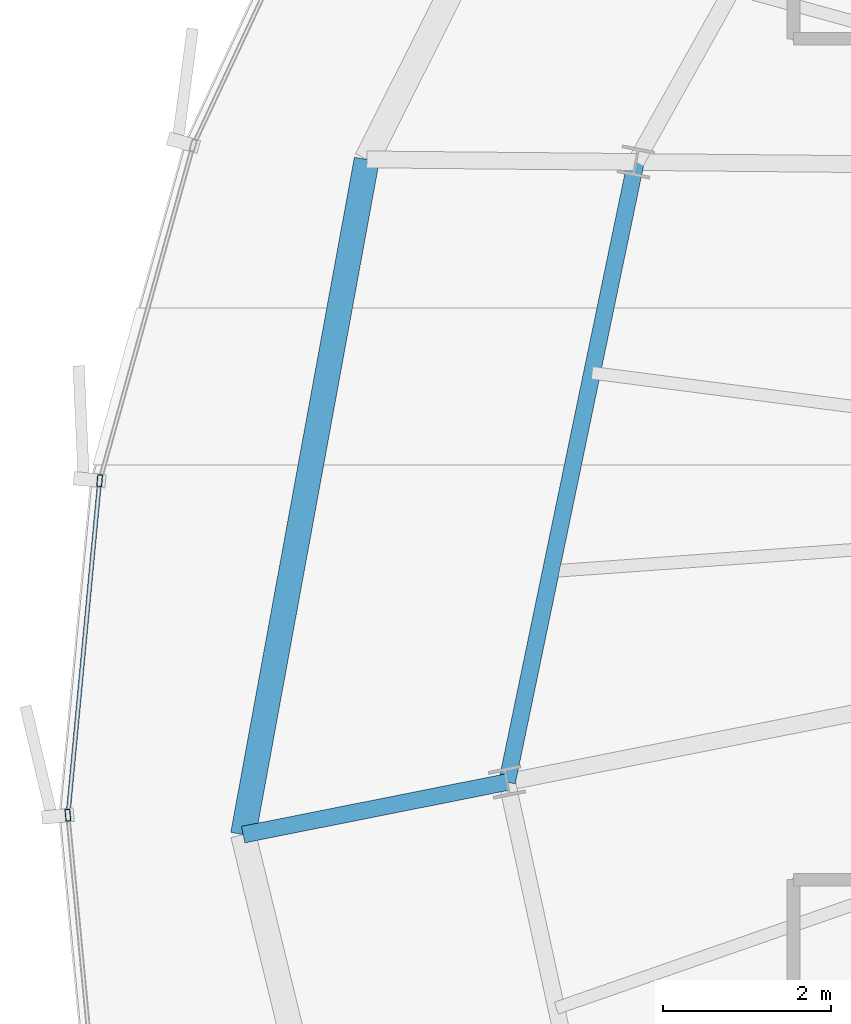
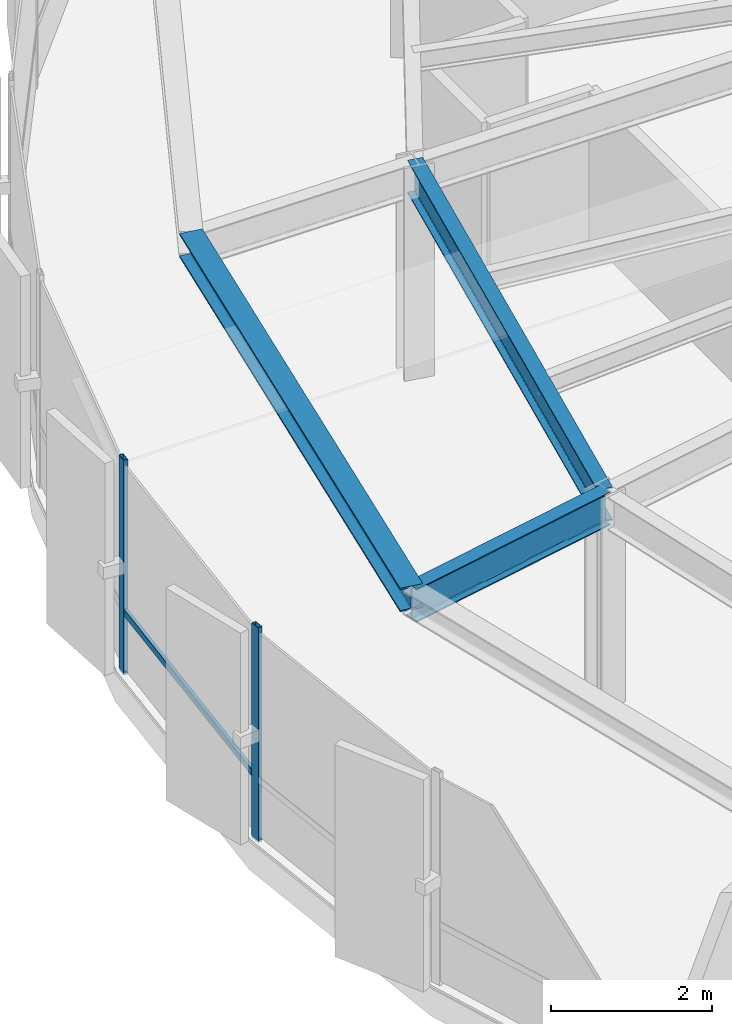
# One storey, part 9 of 36: 3 beams, 3 members, 1 element without a shape of its own.
"""IFC4 building model written with IfcOpenShell, lengths in metres."""

from ifc_helpers import new_model, si_unit, direction, frame, origin, origin_2d, place, context, subcontext, project, spatial, hollow_rectangle, i_section, extrude, source, transform, mapped, material, layer, layer_set, material_profile, profile_set, type_object, element, aggregate, save


model = new_model("IFC4")

# Units and contexts
model_context = context("Model", 3, precision=1e-05, world=origin(), true_north=direction((0.0, 1.0)))
body_context = subcontext(model_context, "Body", "Model", "MODEL_VIEW")
ifc_project = project(units=[si_unit("LENGTHUNIT", "METRE"), si_unit("AREAUNIT", "SQUARE_METRE"), si_unit("VOLUMEUNIT", "CUBIC_METRE"), si_unit("PLANEANGLEUNIT", "RADIAN"), si_unit("MASSUNIT", "GRAM", prefix="KILO"), si_unit("THERMODYNAMICTEMPERATUREUNIT", "KELVIN")], contexts=[model_context])

# Site, building, storey
site_placement = place(None, origin())
site = spatial("IfcSite", under=ifc_project, at=site_placement, CompositionType="ELEMENT")
building_placement = place(site_placement, origin())
building = spatial("IfcBuilding", under=site, at=building_placement, Name="Kethvar Cultural Tower", CompositionType="ELEMENT")
storey_placement = place(building_placement, frame((0.0, 0.0, 176.39990234375)))
storey = spatial("IfcBuildingStorey", under=building, at=storey_placement, Name="L45", CompositionType="ELEMENT", Elevation=176.39990234375)

# Beams
ifc_material_1 = material(Name="Steel S355J2", Category="steel")
ifc_material_profile_1 = material_profile(ifc_material_1, i_section(OverallWidth=0.199951171875, OverallDepth=0.5, WebThickness=0.01025390625, FlangeThickness=0.01611328125, FilletRadius=0.02099609375, at=origin_2d()), Name="Steel S355J2 — IPE500")
ifc_profile_set_1 = profile_set([ifc_material_profile_1], Name="Steel S355J2 — IPE500")
beam_type_1 = type_object("IfcBeamType", Name="BM-IPE500", PredefinedType="BEAM", material=ifc_profile_set_1)
shared_shape_1 = source(origin(), body_context, "Body", "SweptSolid", [
    extrude(i_section(OverallWidth=0.199951171875, OverallDepth=0.5, WebThickness=0.01025390625, FlangeThickness=0.01611328125, FilletRadius=0.02099609375, at=origin_2d()), origin(), (0.0, 0.0, 1.0), 3.199951171875),
])
beam_1_placement = place(storey_placement, frame((27.492919921875, 23.959716796875, 3.008056640625), z_axis=(-0.980770949178, -0.195162356126, 0.0), x_axis=(0.195162356126, -0.980770949178, 0.0)))
element("IfcBeam", 1, at=beam_1_placement, inside=storey, type_object=beam_type_1, Name="L45 Perimeter Cantilever Beam RC-09", PredefinedType="BEAM", context=body_context, shape_type="MappedRepresentation", body=[
    mapped(shared_shape_1, transform((0.0, 0.0, 0.0), scale=1.0)),
])
shared_shape_2 = source(origin(), body_context, "Body", "SweptSolid", [
    extrude(i_section(OverallWidth=0.199951171875, OverallDepth=0.5, WebThickness=0.01025390625, FlangeThickness=0.01611328125, FilletRadius=0.02099609375, at=origin_2d()), origin(), (0.0, 0.0, 1.0), 7.533447265625),
])
beam_2_placement = place(storey_placement, frame((29.02490234375, 31.335693359375, 3.008056640625), z_axis=(-0.203358905185, -0.979104261906, 0.0), x_axis=(0.979104261906, -0.203358905185, 0.0)))
element("IfcBeam", 2, at=beam_2_placement, inside=storey, type_object=beam_type_1, Name="L45 Column Ring Tie Beam CR-08", PredefinedType="BEAM", context=body_context, shape_type="MappedRepresentation", body=[
    mapped(shared_shape_2, transform((0.0, 0.0, 0.0), scale=1.0)),
])
ifc_material_profile_2 = material_profile(ifc_material_1, i_section(OverallWidth=0.300048828125, OverallDepth=0.360107421875, WebThickness=0.012451171875, FlangeThickness=0.0224609375, FilletRadius=0.027099609375, at=origin_2d()), Name="Steel S355J2 — HEB360")
ifc_profile_set_2 = profile_set([ifc_material_profile_2], Name="Steel S355J2 — HEB360")
beam_type_2 = type_object("IfcBeamType", Name="BM-SP360", PredefinedType="SPANDREL", material=ifc_profile_set_2)
shared_shape_3 = source(origin(), body_context, "Body", "SweptSolid", [
    extrude(i_section(OverallWidth=0.300048828125, OverallDepth=0.360107421875, WebThickness=0.012451171875, FlangeThickness=0.0224609375, FilletRadius=0.027099609375, at=origin_2d()), origin(), (0.0, 0.0, 1.0), 8.16455078125),
])
beam_3_placement = place(storey_placement, frame((25.824951171875, 31.3662109375, 3.078125), z_axis=(-0.180103654572, -0.983647636916, 0.0), x_axis=(0.983647636916, -0.180103654572, 0.0)))
element("IfcBeam", 3, at=beam_3_placement, inside=storey, type_object=beam_type_2, Name="L45 Perimeter Spandrel Beam SP-08", PredefinedType="SPANDREL", context=body_context, shape_type="MappedRepresentation", body=[
    mapped(shared_shape_3, transform((0.0, 0.0, 0.0), scale=1.0)),
])

# Curtain wall, members
ifc_material_2 = material(Name="Aluminium 6063-T6", Category="aluminium")
ifc_layer = layer(ifc_material_2, 0.179931640625, Name="Aluminium 6063-T6", Category="aluminium")
ifc_layer_set = layer_set([ifc_layer], Name="Aluminium 6063-T6 (180 mm)")
curtain_wall_type = type_object("IfcCurtainWallType", Name="CW-SYS-04-Z34", PredefinedType="NOTDEFINED", material=ifc_layer_set)
curtain_wall_placement = place(storey_placement, origin())
curtain_wall = element("IfcCurtainWall", 4, at=curtain_wall_placement, inside=storey, type_object=curtain_wall_type, Name="L45 Curtain Wall Run 03", PredefinedType="NOTDEFINED")
ifc_material_profile_3 = material_profile(ifc_material_2, hollow_rectangle(XDim=0.050048828125, YDim=0.10009765625, WallThickness=0.00390625, at=origin_2d()), Name="Aluminium 6063-T6 — RHS100x50x4")
ifc_profile_set_3 = profile_set([ifc_material_profile_3], Name="Aluminium 6063-T6 — RHS100x50x4")
member_type_1 = type_object("IfcMemberType", Name="CW-SYS-04-Z34-TRN", PredefinedType="USERDEFINED", material=ifc_profile_set_3)
shared_shape_4 = source(origin(), body_context, "Body", "SweptSolid", [
    extrude(hollow_rectangle(XDim=0.050048828125, YDim=0.10009765625, WallThickness=0.00390625, at=origin_2d()), origin(), (0.0, 0.0, 1.0), 3.9306640625),
])
member_1_placement = place(storey_placement, frame((22.643310546875, 27.502197265625, 0.9501953125), z_axis=(-0.094164208011, -0.995556679416, 0.0), x_axis=(0.995556679416, -0.094164208011, 0.0)))
member_1 = element("IfcMember", 5, at=member_1_placement, type_object=member_type_1, Name="CW-L45-R03 Transom 3", ObjectType="TRANSOM", PredefinedType="USERDEFINED", context=body_context, shape_type="MappedRepresentation", body=[
    mapped(shared_shape_4, transform((0.0, 0.0, 0.0), scale=1.0)),
])
ifc_material_profile_4 = material_profile(ifc_material_2, hollow_rectangle(XDim=0.06005859375, YDim=0.139892578125, WallThickness=0.0048828125, at=origin_2d()), Name="Aluminium 6063-T6 — RHS140x60x5")
ifc_profile_set_4 = profile_set([ifc_material_profile_4], Name="Aluminium 6063-T6 — RHS140x60x5")
member_type_2 = type_object("IfcMemberType", Name="CW-SYS-04-Z34-MUL", PredefinedType="MULLION", material=ifc_profile_set_4)
shared_shape_5 = source(origin(), body_context, "Body", "SweptSolid", [
    extrude(hollow_rectangle(XDim=0.06005859375, YDim=0.139892578125, WallThickness=0.0048828125, at=origin_2d()), origin(), (0.0, 0.0, 1.0), 3.260009765625),
])
member_2_placement = place(storey_placement, frame((22.6474609375, 27.54541015625, 0.0), z_axis=(0.0, 0.0, 1.0), x_axis=(0.995558678997, -0.09414306493, 0.0)))
member_2 = element("IfcMember", 6, at=member_2_placement, type_object=member_type_2, Name="CW-L45-R03 Mullion 3", PredefinedType="MULLION", context=body_context, shape_type="MappedRepresentation", body=[
    mapped(shared_shape_5, transform((0.0, 0.0, 0.0), scale=1.0)),
])
member_3_placement = place(storey_placement, frame((22.269287109375, 23.56689453125, 0.0), z_axis=(0.0, 0.0, 1.0), x_axis=(0.995449573485, 0.095289803488, 0.0)))
member_3 = element("IfcMember", 7, at=member_3_placement, type_object=member_type_2, Name="CW-L45-R03 Mullion 4", PredefinedType="MULLION", context=body_context, shape_type="MappedRepresentation", body=[
    mapped(shared_shape_5, transform((0.0, 0.0, 0.0), scale=1.0)),
])
aggregate(curtain_wall, [member_2, member_3, member_1])

save(model, "model.ifc")
